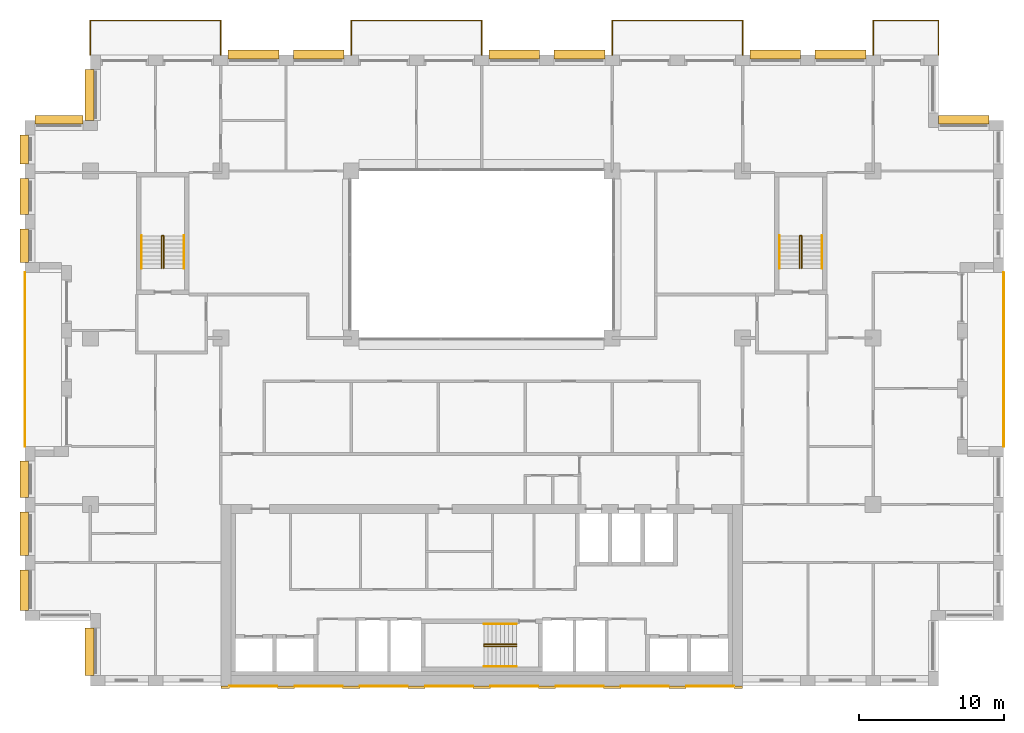
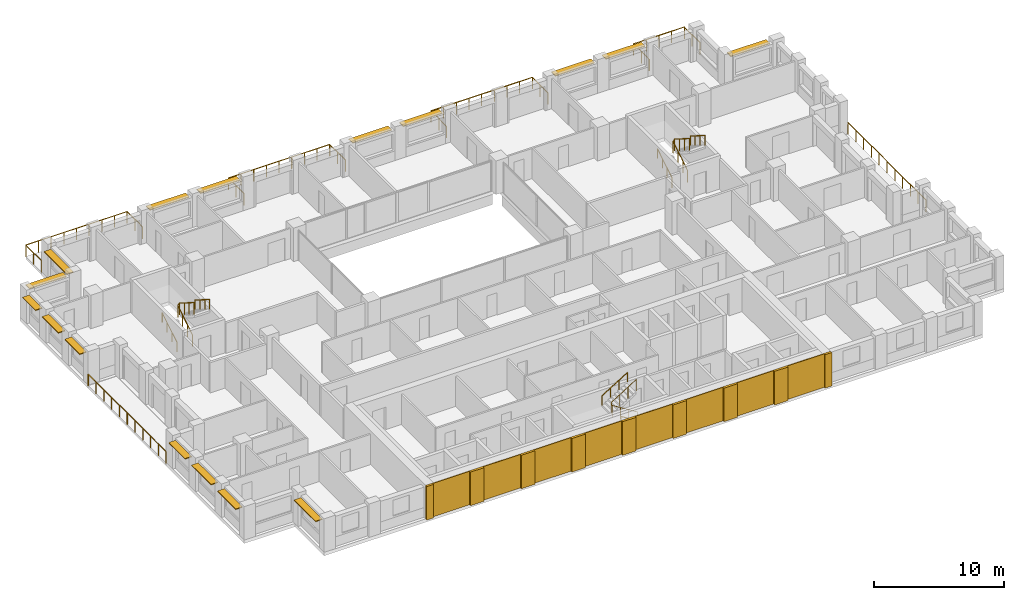
# One storey, part 15 of 15: 17 coverings, 16 shading devices, 15 railings.
"""IFC4 building model written with IfcOpenShell, lengths in metres."""

import ifcopenshell
import ifcopenshell.guid

model = None  # the IFC model being written
_history = None  # IfcOwnerHistory: only IFC2X3 demands one
_inside = {}  # id of a spatial element -> (the spatial element, [elements in it])
_under = {}  # id of a project, library or spatial element -> (it, [spatial elements below it])
_declared = {}  # id of a project -> (the project, [libraries it declares])
_typed = {}  # id of a type object -> (the type object, [elements of that type])
_made_of = {}  # id of a material, layer set ... -> (it, [elements and type objects made of it])


def new_model(schema):
    """Start an empty IFC model of exactly this schema.

    Asked for "IFC4X3", IfcOpenShell would pick the latest addendum, in which some entities
    have other attributes; the version numbers below select the first issue.
    IFC2X3 requires an IfcOwnerHistory on every rooted entity: one is made here for all.
    """
    global model, _history
    if schema == "IFC4X3":
        model = ifcopenshell.file(schema_version=(4, 3, 0, 0))
    else:
        model = ifcopenshell.file(schema=schema)
    _inside.clear()
    _under.clear()
    _declared.clear()
    _typed.clear()
    _made_of.clear()
    _history = None
    if model.schema == "IFC2X3":
        org = make("IfcOrganization", Name="unknown")
        user = make(
            "IfcPersonAndOrganization",
            ThePerson=make("IfcPerson", FamilyName="unknown"),
            TheOrganization=org,
        )
        app = make(
            "IfcApplication",
            ApplicationDeveloper=org,
            Version="unknown",
            ApplicationFullName="unknown",
            ApplicationIdentifier="unknown",
        )
        _history = make(
            "IfcOwnerHistory",
            OwningUser=user,
            OwningApplication=app,
            ChangeAction="ADDED",
            CreationDate=0,
        )
    return model


def make(cls, **values):
    """One entity of the class cls with the attributes given. An attribute that is None is left unset."""
    return model.create_entity(
        cls, **{name: value for name, value in values.items() if value is not None}
    )


def rooted(cls, **values):
    """An entity with a GlobalId (a new one), such as an element, a storey or a relation."""
    return make(cls, GlobalId=ifcopenshell.guid.new(), OwnerHistory=_history, **values)


def si_unit(unit_type, name, prefix=None):
    """IfcSIUnit, for example si_unit("LENGTHUNIT", "METRE", prefix="MILLI")."""
    return make("IfcSIUnit", UnitType=unit_type, Prefix=prefix, Name=name)


def assignment(units):
    """IfcUnitAssignment: the units of a project."""
    return None if units is None else make("IfcUnitAssignment", Units=units)


def point(xyz):
    """IfcCartesianPoint."""
    return None if xyz is None else make("IfcCartesianPoint", Coordinates=xyz)


def direction(xyz):
    """IfcDirection."""
    return None if xyz is None else make("IfcDirection", DirectionRatios=xyz)


def frame(location, z_axis=None, x_axis=None):
    """IfcAxis2Placement3D, a coordinate frame: its origin and axes. An axis left out is left unset."""
    return make(
        "IfcAxis2Placement3D",
        Location=point(location),
        Axis=direction(z_axis),
        RefDirection=direction(x_axis),
    )


def frame_2d(location, x_axis=None):
    """IfcAxis2Placement2D, a coordinate frame in the plane: its origin and x axis."""
    return make(
        "IfcAxis2Placement2D", Location=point(location), RefDirection=direction(x_axis)
    )


def origin():
    """The frame at (0, 0, 0) with its axes left unset."""
    return frame((0.0, 0.0, 0.0))


def origin_2d():
    """The frame at (0, 0) in the plane with its x axis left unset."""
    return frame_2d((0.0, 0.0))


def place(relative_to, where):
    """IfcLocalPlacement: puts the frame where relative to a parent placement (None: the world)."""
    return make(
        "IfcLocalPlacement", PlacementRelTo=relative_to, RelativePlacement=where
    )


def context(
    kind, dimensions, precision=None, world=None, true_north=None, identifier=None
):
    """IfcGeometricRepresentationContext, for example the 3D "Model" context."""
    return make(
        "IfcGeometricRepresentationContext",
        ContextIdentifier=identifier,
        ContextType=kind,
        CoordinateSpaceDimension=dimensions,
        Precision=precision,
        WorldCoordinateSystem=world,
        TrueNorth=true_north,
    )


def subcontext(parent, identifier, kind, view, scale=None):
    """IfcGeometricRepresentationSubContext, for example "Body" below "Model"."""
    return make(
        "IfcGeometricRepresentationSubContext",
        ContextIdentifier=identifier,
        ContextType=kind,
        ParentContext=parent,
        TargetScale=scale,
        TargetView=view,
    )


def project(units=None, contexts=None):
    """IfcProject with its units and contexts."""
    return rooted(
        "IfcProject",
        Name="project",
        RepresentationContexts=contexts,
        UnitsInContext=assignment(units),
    )


def spatial(cls, under=None, at=None, **own):
    """A site, building, storey or space (cls), placed at a placement, below another one or the project."""
    s = rooted(cls, ObjectPlacement=at, **own)
    if under is not None:
        _under.setdefault(under.id(), (under, []))[1].append(s)
    return s


def profile(cls, at=None, kind="AREA", **sizes):
    """A parametric profile (cls). Its sizes go by their IFC names, for example OverallWidth=200.0."""
    return make(cls, ProfileType=kind, Position=at, **sizes)


def rectangle(**sizes):
    """IfcRectangleProfileDef."""
    return profile("IfcRectangleProfileDef", **sizes)


def circle(**sizes):
    """IfcCircleProfileDef."""
    return profile("IfcCircleProfileDef", **sizes)


def extrude(swept, where, along, depth):
    """IfcExtrudedAreaSolid: the profile swept, set in the frame where, extruded along a direction by depth."""
    return make(
        "IfcExtrudedAreaSolid",
        SweptArea=swept,
        Position=where,
        ExtrudedDirection=direction(along),
        Depth=depth,
    )


def shape(context_of_items, identifier, shape_type, items):
    """IfcShapeRepresentation: the items that make up one representation, for example the "Body"."""
    return make(
        "IfcShapeRepresentation",
        ContextOfItems=context_of_items,
        RepresentationIdentifier=identifier,
        RepresentationType=shape_type,
        Items=items,
    )


def material(Name=None, Category=None):
    """IfcMaterial."""
    return make("IfcMaterial", Name=Name, Category=Category)


def layer(
    of_material, thickness, ventilated=None, Name=None, Category=None, Priority=None
):
    """IfcMaterialLayer: one layer of a wall or slab, of a material (None: an air gap)."""
    return make(
        "IfcMaterialLayer",
        Material=of_material,
        LayerThickness=thickness,
        IsVentilated=ventilated,
        Name=Name,
        Category=Category,
        Priority=Priority,
    )


def layer_set(layers, Name=None):
    """IfcMaterialLayerSet."""
    return make("IfcMaterialLayerSet", MaterialLayers=layers, LayerSetName=Name)


def made_of(thing, what):
    """Note that an element or type object is made of a material, layer set ...; save() writes the relation."""
    if what is not None:
        _made_of.setdefault(what.id(), (what, []))[1].append(thing)
    return thing


def type_object(cls, material=None, **own):
    """A type object (cls), such as IfcWallType, which elements share."""
    return made_of(rooted(cls, **own), material)


def element(
    cls,
    number,
    at=None,
    inside=None,
    cuts=None,
    type_object=None,
    material=None,
    context=None,
    identifier="Body",
    shape_type=None,
    held_by="IfcProductDefinitionShape",
    body=None,
    shapes=None,
    **own,
):
    """One element of the class cls, such as IfcWall. Its Tag is "e" and its number.

    at: its placement. inside: the storey or other place that contains it. cuts: it is an
    opening in that element (IfcRelVoidsElement). A single representation is given by context,
    identifier, shape_type and body (its items); several are given by shapes. held_by: the class
    of the entity that holds the representations. save() writes the other relations.
    """
    e = rooted(cls, Tag="e%d" % number, ObjectPlacement=at, **own)
    if body is not None:
        shapes = [shape(context, identifier, shape_type, body)]
    if shapes is not None:
        e.Representation = make(held_by, Representations=shapes)
    if inside is not None:
        _inside.setdefault(inside.id(), (inside, []))[1].append(e)
    if cuts is not None:
        rooted(
            "IfcRelVoidsElement", RelatingBuildingElement=cuts, RelatedOpeningElement=e
        )
    if type_object is not None:
        _typed.setdefault(type_object.id(), (type_object, []))[1].append(e)
    return made_of(e, material)


def aggregate(whole, parts):
    """IfcRelAggregates: a whole, such as a stair, and the parts it consists of."""
    return rooted("IfcRelAggregates", RelatingObject=whole, RelatedObjects=parts)


def save(model, path):
    """Write the relations noted so far, then the file.

    IfcRelAggregates (storeys below a building ...), IfcRelContainedInSpatialStructure (elements
    in a storey), IfcRelDefinesByType, IfcRelAssociatesMaterial and IfcRelDeclares: one each for
    every whole, place, type object, material and project.
    """
    for whole, parts in _under.values():
        aggregate(whole, parts)
    for where, things in _inside.values():
        rooted(
            "IfcRelContainedInSpatialStructure",
            RelatedElements=things,
            RelatingStructure=where,
        )
    for kind, things in _typed.values():
        rooted("IfcRelDefinesByType", RelatedObjects=things, RelatingType=kind)
    for what, things in _made_of.values():
        rooted("IfcRelAssociatesMaterial", RelatedObjects=things, RelatingMaterial=what)
    for by, libraries in _declared.values():
        rooted("IfcRelDeclares", RelatingContext=by, RelatedDefinitions=libraries)
    model.write(path)


model = new_model("IFC4")

# Units and contexts
model_context = context("Model", 3, precision=1e-05, world=origin(), true_north=direction((0.0, 1.0)))
body_context = subcontext(model_context, "Body", "Model", "MODEL_VIEW")
ifc_project = project(units=[si_unit("LENGTHUNIT", "METRE"), si_unit("AREAUNIT", "SQUARE_METRE"), si_unit("VOLUMEUNIT", "CUBIC_METRE"), si_unit("PLANEANGLEUNIT", "RADIAN"), si_unit("MASSUNIT", "GRAM", prefix="KILO")], contexts=[model_context])

# Site, building, storey
site_placement = place(None, origin())
site = spatial("IfcSite", under=ifc_project, at=site_placement, CompositionType="ELEMENT")
building_placement = place(site_placement, origin())
building = spatial("IfcBuilding", under=site, at=building_placement, Name="Brigalow Station Residences", CompositionType="ELEMENT")
storey_placement = place(building_placement, frame((0.0, 0.0, 144.449951171875)))
storey = spatial("IfcBuildingStorey", under=building, at=storey_placement, Name="L41", CompositionType="ELEMENT", Elevation=144.449951171875)

# Railings
ifc_material_1 = material(Name="Stainless steel balustrade with laminated glass infill", Category="steel")
railing_type_1 = type_object("IfcRailingType", Name="BALCONY GUARD 1100", PredefinedType="GUARDRAIL", material=ifc_material_1)
railing_1_placement = place(storey_placement, frame((72.0, 16.5, -0.0400390625)))
element("IfcRailing", 1, at=railing_1_placement, inside=storey, type_object=railing_type_1, Name="L41/balcony-guard/1", PredefinedType="GUARDRAIL", context=body_context, shape_type="SweptSolid", body=[
    extrude(circle(Radius=0.02392578125, at=origin_2d()), frame((0.0, 0.0, 1.076171875), z_axis=(0.0, 1.0, 0.0), x_axis=(-1.0, 0.0, 0.0)), (0.0, 0.0, 1.0), 12.0),
    extrude(circle(Radius=0.02099609375, at=origin_2d()), origin(), (0.0, 0.0, 1.0), 1.052001953125),
    extrude(circle(Radius=0.02099609375, at=origin_2d()), frame((0.0, 1.199951171875, 0.0)), (0.0, 0.0, 1.0), 1.052001953125),
    extrude(circle(Radius=0.02099609375, at=origin_2d()), frame((0.0, 2.39990234375, 0.0)), (0.0, 0.0, 1.0), 1.052001953125),
    extrude(circle(Radius=0.02099609375, at=origin_2d()), frame((0.0, 3.60009765625, 0.0)), (0.0, 0.0, 1.0), 1.052001953125),
    extrude(circle(Radius=0.02099609375, at=origin_2d()), frame((0.0, 4.800048828125, 0.0)), (0.0, 0.0, 1.0), 1.052001953125),
    extrude(circle(Radius=0.02099609375, at=origin_2d()), frame((0.0, 6.0, 0.0)), (0.0, 0.0, 1.0), 1.052001953125),
    extrude(circle(Radius=0.02099609375, at=origin_2d()), frame((0.0, 7.199951171875, 0.0)), (0.0, 0.0, 1.0), 1.052001953125),
    extrude(circle(Radius=0.02099609375, at=origin_2d()), frame((0.0, 8.39990234375, 0.0)), (0.0, 0.0, 1.0), 1.052001953125),
    extrude(circle(Radius=0.02099609375, at=origin_2d()), frame((0.0, 9.60009765625, 0.0)), (0.0, 0.0, 1.0), 1.052001953125),
    extrude(circle(Radius=0.02099609375, at=origin_2d()), frame((0.0, 10.800048828125, 0.0)), (0.0, 0.0, 1.0), 1.052001953125),
    extrude(circle(Radius=0.02099609375, at=origin_2d()), frame((0.0, 12.0, 0.0)), (0.0, 0.0, 1.0), 1.052001953125),
])
railing_2_placement = place(storey_placement, frame((67.5, 43.5, -0.0400390625)))
element("IfcRailing", 2, at=railing_2_placement, inside=storey, type_object=railing_type_1, Name="L41/balcony-guard/2", PredefinedType="GUARDRAIL", context=body_context, shape_type="SweptSolid", body=[
    extrude(circle(Radius=0.02392578125, at=origin_2d()), frame((0.0, 0.0, 1.076171875), z_axis=(0.0, 1.0, 0.0), x_axis=(-1.0, 0.0, 0.0)), (0.0, 0.0, 1.0), 2.39990234375),
    extrude(circle(Radius=0.02392578125, at=origin_2d()), frame((0.0, 2.39990234375, 1.076171875), z_axis=(-1.0, 0.0, 0.0), x_axis=(0.0, -1.0, 0.0)), (0.0, 0.0, 1.0), 4.5),
    extrude(circle(Radius=0.02392578125, at=origin_2d()), frame((-4.5, 2.39990234375, 1.076171875), z_axis=(0.0, -1.0, 0.0), x_axis=(1.0, 0.0, 0.0)), (0.0, 0.0, 1.0), 2.39990234375),
    extrude(circle(Radius=0.02099609375, at=origin_2d()), origin(), (0.0, 0.0, 1.0), 1.052001953125),
    extrude(circle(Radius=0.02099609375, at=origin_2d()), frame((0.0, 1.199951171875, 0.0)), (0.0, 0.0, 1.0), 1.052001953125),
    extrude(circle(Radius=0.02099609375, at=origin_2d()), frame((0.0, 2.39990234375, 0.0)), (0.0, 0.0, 1.0), 1.052001953125),
    extrude(circle(Radius=0.02099609375, at=origin_2d()), frame((-1.125, 2.39990234375, 0.0)), (0.0, 0.0, 1.0), 1.052001953125),
    extrude(circle(Radius=0.02099609375, at=origin_2d()), frame((-2.25, 2.39990234375, 0.0)), (0.0, 0.0, 1.0), 1.052001953125),
    extrude(circle(Radius=0.02099609375, at=origin_2d()), frame((-3.375, 2.39990234375, 0.0)), (0.0, 0.0, 1.0), 1.052001953125),
    extrude(circle(Radius=0.02099609375, at=origin_2d()), frame((-4.5, 2.39990234375, 0.0)), (0.0, 0.0, 1.0), 1.052001953125),
    extrude(circle(Radius=0.02099609375, at=origin_2d()), frame((-4.5, 1.199951171875, 0.0)), (0.0, 0.0, 1.0), 1.052001953125),
    extrude(circle(Radius=0.02099609375, at=origin_2d()), frame((-4.5, 0.0, 0.0)), (0.0, 0.0, 1.0), 1.052001953125),
])
railing_3_placement = place(storey_placement, frame((54.0, 43.5, -0.0400390625)))
element("IfcRailing", 3, at=railing_3_placement, inside=storey, type_object=railing_type_1, Name="L41/balcony-guard/3", PredefinedType="GUARDRAIL", context=body_context, shape_type="SweptSolid", body=[
    extrude(circle(Radius=0.02392578125, at=origin_2d()), frame((0.0, 0.0, 1.076171875), z_axis=(0.0, 1.0, 0.0), x_axis=(-1.0, 0.0, 0.0)), (0.0, 0.0, 1.0), 2.39990234375),
    extrude(circle(Radius=0.02392578125, at=origin_2d()), frame((0.0, 2.39990234375, 1.076171875), z_axis=(-1.0, 0.0, 0.0), x_axis=(0.0, -1.0, 0.0)), (0.0, 0.0, 1.0), 9.0),
    extrude(circle(Radius=0.02392578125, at=origin_2d()), frame((-9.0, 2.39990234375, 1.076171875), z_axis=(0.0, -1.0, 0.0), x_axis=(1.0, 0.0, 0.0)), (0.0, 0.0, 1.0), 2.39990234375),
    extrude(circle(Radius=0.02099609375, at=origin_2d()), origin(), (0.0, 0.0, 1.0), 1.052001953125),
    extrude(circle(Radius=0.02099609375, at=origin_2d()), frame((0.0, 1.199951171875, 0.0)), (0.0, 0.0, 1.0), 1.052001953125),
    extrude(circle(Radius=0.02099609375, at=origin_2d()), frame((0.0, 2.39990234375, 0.0)), (0.0, 0.0, 1.0), 1.052001953125),
    extrude(circle(Radius=0.02099609375, at=origin_2d()), frame((-1.125, 2.39990234375, 0.0)), (0.0, 0.0, 1.0), 1.052001953125),
    extrude(circle(Radius=0.02099609375, at=origin_2d()), frame((-2.25, 2.39990234375, 0.0)), (0.0, 0.0, 1.0), 1.052001953125),
    extrude(circle(Radius=0.02099609375, at=origin_2d()), frame((-3.375, 2.39990234375, 0.0)), (0.0, 0.0, 1.0), 1.052001953125),
    extrude(circle(Radius=0.02099609375, at=origin_2d()), frame((-4.5, 2.39990234375, 0.0)), (0.0, 0.0, 1.0), 1.052001953125),
    extrude(circle(Radius=0.02099609375, at=origin_2d()), frame((-5.625, 2.39990234375, 0.0)), (0.0, 0.0, 1.0), 1.052001953125),
    extrude(circle(Radius=0.02099609375, at=origin_2d()), frame((-6.75, 2.39990234375, 0.0)), (0.0, 0.0, 1.0), 1.052001953125),
    extrude(circle(Radius=0.02099609375, at=origin_2d()), frame((-7.875, 2.39990234375, 0.0)), (0.0, 0.0, 1.0), 1.052001953125),
    extrude(circle(Radius=0.02099609375, at=origin_2d()), frame((-9.0, 2.39990234375, 0.0)), (0.0, 0.0, 1.0), 1.052001953125),
    extrude(circle(Radius=0.02099609375, at=origin_2d()), frame((-9.0, 1.199951171875, 0.0)), (0.0, 0.0, 1.0), 1.052001953125),
    extrude(circle(Radius=0.02099609375, at=origin_2d()), frame((-9.0, 0.0, 0.0)), (0.0, 0.0, 1.0), 1.052001953125),
])
railing_4_placement = place(storey_placement, frame((36.0, 43.5, -0.0400390625)))
element("IfcRailing", 4, at=railing_4_placement, inside=storey, type_object=railing_type_1, Name="L41/balcony-guard/4", PredefinedType="GUARDRAIL", context=body_context, shape_type="SweptSolid", body=[
    extrude(circle(Radius=0.02392578125, at=origin_2d()), frame((0.0, 0.0, 1.076171875), z_axis=(0.0, 1.0, 0.0), x_axis=(-1.0, 0.0, 0.0)), (0.0, 0.0, 1.0), 2.39990234375),
    extrude(circle(Radius=0.02392578125, at=origin_2d()), frame((0.0, 2.39990234375, 1.076171875), z_axis=(-1.0, 0.0, 0.0), x_axis=(0.0, -1.0, 0.0)), (0.0, 0.0, 1.0), 9.0),
    extrude(circle(Radius=0.02392578125, at=origin_2d()), frame((-9.0, 2.39990234375, 1.076171875), z_axis=(0.0, -1.0, 0.0), x_axis=(1.0, 0.0, 0.0)), (0.0, 0.0, 1.0), 2.39990234375),
    extrude(circle(Radius=0.02099609375, at=origin_2d()), origin(), (0.0, 0.0, 1.0), 1.052001953125),
    extrude(circle(Radius=0.02099609375, at=origin_2d()), frame((0.0, 1.199951171875, 0.0)), (0.0, 0.0, 1.0), 1.052001953125),
    extrude(circle(Radius=0.02099609375, at=origin_2d()), frame((0.0, 2.39990234375, 0.0)), (0.0, 0.0, 1.0), 1.052001953125),
    extrude(circle(Radius=0.02099609375, at=origin_2d()), frame((-1.125, 2.39990234375, 0.0)), (0.0, 0.0, 1.0), 1.052001953125),
    extrude(circle(Radius=0.02099609375, at=origin_2d()), frame((-2.25, 2.39990234375, 0.0)), (0.0, 0.0, 1.0), 1.052001953125),
    extrude(circle(Radius=0.02099609375, at=origin_2d()), frame((-3.375, 2.39990234375, 0.0)), (0.0, 0.0, 1.0), 1.052001953125),
    extrude(circle(Radius=0.02099609375, at=origin_2d()), frame((-4.5, 2.39990234375, 0.0)), (0.0, 0.0, 1.0), 1.052001953125),
    extrude(circle(Radius=0.02099609375, at=origin_2d()), frame((-5.625, 2.39990234375, 0.0)), (0.0, 0.0, 1.0), 1.052001953125),
    extrude(circle(Radius=0.02099609375, at=origin_2d()), frame((-6.75, 2.39990234375, 0.0)), (0.0, 0.0, 1.0), 1.052001953125),
    extrude(circle(Radius=0.02099609375, at=origin_2d()), frame((-7.875, 2.39990234375, 0.0)), (0.0, 0.0, 1.0), 1.052001953125),
    extrude(circle(Radius=0.02099609375, at=origin_2d()), frame((-9.0, 2.39990234375, 0.0)), (0.0, 0.0, 1.0), 1.052001953125),
    extrude(circle(Radius=0.02099609375, at=origin_2d()), frame((-9.0, 1.199951171875, 0.0)), (0.0, 0.0, 1.0), 1.052001953125),
    extrude(circle(Radius=0.02099609375, at=origin_2d()), frame((-9.0, 0.0, 0.0)), (0.0, 0.0, 1.0), 1.052001953125),
])
railing_5_placement = place(storey_placement, frame((18.0, 43.5, -0.0400390625)))
element("IfcRailing", 5, at=railing_5_placement, inside=storey, type_object=railing_type_1, Name="L41/balcony-guard/5", PredefinedType="GUARDRAIL", context=body_context, shape_type="SweptSolid", body=[
    extrude(circle(Radius=0.02392578125, at=origin_2d()), frame((0.0, 0.0, 1.076171875), z_axis=(0.0, 1.0, 0.0), x_axis=(-1.0, 0.0, 0.0)), (0.0, 0.0, 1.0), 2.39990234375),
    extrude(circle(Radius=0.02392578125, at=origin_2d()), frame((0.0, 2.39990234375, 1.076171875), z_axis=(-1.0, 0.0, 0.0), x_axis=(0.0, -1.0, 0.0)), (0.0, 0.0, 1.0), 9.0),
    extrude(circle(Radius=0.02392578125, at=origin_2d()), frame((-9.0, 2.39990234375, 1.076171875), z_axis=(0.0, -1.0, 0.0), x_axis=(1.0, 0.0, 0.0)), (0.0, 0.0, 1.0), 2.39990234375),
    extrude(circle(Radius=0.02099609375, at=origin_2d()), origin(), (0.0, 0.0, 1.0), 1.052001953125),
    extrude(circle(Radius=0.02099609375, at=origin_2d()), frame((0.0, 1.199951171875, 0.0)), (0.0, 0.0, 1.0), 1.052001953125),
    extrude(circle(Radius=0.02099609375, at=origin_2d()), frame((0.0, 2.39990234375, 0.0)), (0.0, 0.0, 1.0), 1.052001953125),
    extrude(circle(Radius=0.02099609375, at=origin_2d()), frame((-1.125, 2.39990234375, 0.0)), (0.0, 0.0, 1.0), 1.052001953125),
    extrude(circle(Radius=0.02099609375, at=origin_2d()), frame((-2.25, 2.39990234375, 0.0)), (0.0, 0.0, 1.0), 1.052001953125),
    extrude(circle(Radius=0.02099609375, at=origin_2d()), frame((-3.375, 2.39990234375, 0.0)), (0.0, 0.0, 1.0), 1.052001953125),
    extrude(circle(Radius=0.02099609375, at=origin_2d()), frame((-4.5, 2.39990234375, 0.0)), (0.0, 0.0, 1.0), 1.052001953125),
    extrude(circle(Radius=0.02099609375, at=origin_2d()), frame((-5.625, 2.39990234375, 0.0)), (0.0, 0.0, 1.0), 1.052001953125),
    extrude(circle(Radius=0.02099609375, at=origin_2d()), frame((-6.75, 2.39990234375, 0.0)), (0.0, 0.0, 1.0), 1.052001953125),
    extrude(circle(Radius=0.02099609375, at=origin_2d()), frame((-7.875, 2.39990234375, 0.0)), (0.0, 0.0, 1.0), 1.052001953125),
    extrude(circle(Radius=0.02099609375, at=origin_2d()), frame((-9.0, 2.39990234375, 0.0)), (0.0, 0.0, 1.0), 1.052001953125),
    extrude(circle(Radius=0.02099609375, at=origin_2d()), frame((-9.0, 1.199951171875, 0.0)), (0.0, 0.0, 1.0), 1.052001953125),
    extrude(circle(Radius=0.02099609375, at=origin_2d()), frame((-9.0, 0.0, 0.0)), (0.0, 0.0, 1.0), 1.052001953125),
])
railing_6_placement = place(storey_placement, frame((4.5, 28.5, -0.0400390625)))
element("IfcRailing", 6, at=railing_6_placement, inside=storey, type_object=railing_type_1, Name="L41/balcony-guard/6", PredefinedType="GUARDRAIL", context=body_context, shape_type="SweptSolid", body=[
    extrude(circle(Radius=0.02392578125, at=origin_2d()), frame((0.0, 0.0, 1.076171875), z_axis=(0.0, -1.0, 0.0), x_axis=(1.0, 0.0, 0.0)), (0.0, 0.0, 1.0), 12.0),
    extrude(circle(Radius=0.02099609375, at=origin_2d()), origin(), (0.0, 0.0, 1.0), 1.052001953125),
    extrude(circle(Radius=0.02099609375, at=origin_2d()), frame((0.0, -1.199951171875, 0.0)), (0.0, 0.0, 1.0), 1.052001953125),
    extrude(circle(Radius=0.02099609375, at=origin_2d()), frame((0.0, -2.39990234375, 0.0)), (0.0, 0.0, 1.0), 1.052001953125),
    extrude(circle(Radius=0.02099609375, at=origin_2d()), frame((0.0, -3.60009765625, 0.0)), (0.0, 0.0, 1.0), 1.052001953125),
    extrude(circle(Radius=0.02099609375, at=origin_2d()), frame((0.0, -4.800048828125, 0.0)), (0.0, 0.0, 1.0), 1.052001953125),
    extrude(circle(Radius=0.02099609375, at=origin_2d()), frame((0.0, -6.0, 0.0)), (0.0, 0.0, 1.0), 1.052001953125),
    extrude(circle(Radius=0.02099609375, at=origin_2d()), frame((0.0, -7.199951171875, 0.0)), (0.0, 0.0, 1.0), 1.052001953125),
    extrude(circle(Radius=0.02099609375, at=origin_2d()), frame((0.0, -8.39990234375, 0.0)), (0.0, 0.0, 1.0), 1.052001953125),
    extrude(circle(Radius=0.02099609375, at=origin_2d()), frame((0.0, -9.60009765625, 0.0)), (0.0, 0.0, 1.0), 1.052001953125),
    extrude(circle(Radius=0.02099609375, at=origin_2d()), frame((0.0, -10.800048828125, 0.0)), (0.0, 0.0, 1.0), 1.052001953125),
    extrude(circle(Radius=0.02099609375, at=origin_2d()), frame((0.0, -12.0, 0.0)), (0.0, 0.0, 1.0), 1.052001953125),
])

# Coverings
ifc_material_2 = material(Name="Clay brick masonry", Category="masonry")
ifc_layer_1 = layer(ifc_material_2, 0.06005859375)
ifc_layer_set_1 = layer_set([ifc_layer_1], Name="BRICK PANEL FACING 60")
covering_type_1 = type_object("IfcCoveringType", Name="BRICK PANEL FACING 60", PredefinedType="CLADDING", material=ifc_layer_set_1)
for number, where, z_axis, x_axis, name in (
    (7, (20.25, -0.030029296875, 0.0), (0.0, 0.0, 1.0), (1.0, 0.0, 0.0), "L41/rear-facing/panel-1"),
    (8, (24.75, -0.030029296875, 0.0), (0.0, 0.0, 1.0), (1.0, 0.0, 0.0), "L41/rear-facing/panel-2"),
    (9, (29.25, -0.030029296875, 0.0), (0.0, 0.0, 1.0), (1.0, 0.0, 0.0), "L41/rear-facing/panel-3"),
    (10, (33.75, -0.030029296875, 0.0), (0.0, 0.0, 1.0), (1.0, 0.0, 0.0), "L41/rear-facing/panel-4"),
    (11, (38.25, -0.030029296875, 0.0), (0.0, 0.0, 1.0), (1.0, 0.0, 0.0), "L41/rear-facing/panel-5"),
    (12, (42.75, -0.030029296875, 0.0), (0.0, 0.0, 1.0), (1.0, 0.0, 0.0), "L41/rear-facing/panel-6"),
    (13, (47.25, -0.030029296875, 0.0), (0.0, 0.0, 1.0), (1.0, 0.0, 0.0), "L41/rear-facing/panel-7"),
    (14, (51.75, -0.030029296875, 0.0), (0.0, 0.0, 1.0), (1.0, 0.0, 0.0), "L41/rear-facing/panel-8"),
):
    element("IfcCovering", number, at=place(storey_placement, frame(where, z_axis=z_axis, x_axis=x_axis)), inside=storey, type_object=covering_type_1, Name=name, PredefinedType="CLADDING", context=body_context, shape_type="SweptSolid", body=[
        extrude(rectangle(XDim=3.300048828125, YDim=0.06005859375, at=origin_2d()), origin(), (0.0, 0.0, 1.0), 3.14990234375),
    ])
ifc_material_3 = material(Name="Clay brick masonry", Category="masonry")
ifc_layer_2 = layer(ifc_material_3, 0.199951171875)
ifc_layer_set_2 = layer_set([ifc_layer_2], Name="BRICK PIER FACING 200")
covering_type_2 = type_object("IfcCoveringType", Name="BRICK PIER FACING 200", PredefinedType="CLADDING", material=ifc_layer_set_2)
covering_1_placement = place(storey_placement, frame((18.300048828125, -0.10009765625, 0.0), z_axis=(0.0, 0.0, 1.0), x_axis=(1.0, 0.0, 0.0)))
element("IfcCovering", 15, at=covering_1_placement, inside=storey, type_object=covering_type_2, Name="L41/rear-facing/pier-1", PredefinedType="CLADDING", context=body_context, shape_type="SweptSolid", body=[
    extrude(rectangle(XDim=0.60009765625, YDim=0.199951171875, at=origin_2d()), origin(), (0.0, 0.0, 1.0), 3.14990234375),
])
for number, where, z_axis, x_axis, name in (
    (16, (22.5, -0.10009765625, 0.0), (0.0, 0.0, 1.0), (1.0, 0.0, 0.0), "L41/rear-facing/pier-2"),
    (17, (27.0, -0.10009765625, 0.0), (0.0, 0.0, 1.0), (1.0, 0.0, 0.0), "L41/rear-facing/pier-3"),
    (18, (31.5, -0.10009765625, 0.0), (0.0, 0.0, 1.0), (1.0, 0.0, 0.0), "L41/rear-facing/pier-4"),
    (19, (36.0, -0.10009765625, 0.0), (0.0, 0.0, 1.0), (1.0, 0.0, 0.0), "L41/rear-facing/pier-5"),
    (20, (40.5, -0.10009765625, 0.0), (0.0, 0.0, 1.0), (1.0, 0.0, 0.0), "L41/rear-facing/pier-6"),
    (21, (45.0, -0.10009765625, 0.0), (0.0, 0.0, 1.0), (1.0, 0.0, 0.0), "L41/rear-facing/pier-7"),
    (22, (49.5, -0.10009765625, 0.0), (0.0, 0.0, 1.0), (1.0, 0.0, 0.0), "L41/rear-facing/pier-8"),
):
    element("IfcCovering", number, at=place(storey_placement, frame(where, z_axis=z_axis, x_axis=x_axis)), inside=storey, type_object=covering_type_2, Name=name, PredefinedType="CLADDING", context=body_context, shape_type="SweptSolid", body=[
        extrude(rectangle(XDim=1.199951171875, YDim=0.199951171875, at=origin_2d()), origin(), (0.0, 0.0, 1.0), 3.14990234375),
    ])
covering_2_placement = place(storey_placement, frame((53.699951171875, -0.10009765625, 0.0), z_axis=(0.0, 0.0, 1.0), x_axis=(1.0, 0.0, 0.0)))
element("IfcCovering", 23, at=covering_2_placement, inside=storey, type_object=covering_type_2, Name="L41/rear-facing/pier-9", PredefinedType="CLADDING", context=body_context, shape_type="SweptSolid", body=[
    extrude(rectangle(XDim=0.60009765625, YDim=0.199951171875, at=origin_2d()), origin(), (0.0, 0.0, 1.0), 3.14990234375),
])

# Railings
ifc_material_4 = material(Name="Stainless steel balustrade", Category="steel")
railing_type_2 = type_object("IfcRailingType", Name="STAIR GUARD 1100", PredefinedType="GUARDRAIL", material=ifc_material_4)
railing_7_placement = place(storey_placement, frame((38.39990234375, 2.72998046875, 0.175048828125)))
element("IfcRailing", 24, at=railing_7_placement, inside=storey, type_object=railing_type_2, Name="GUARD GR-2", PredefinedType="GUARDRAIL", context=body_context, shape_type="SweptSolid", body=[
    extrude(circle(Radius=0.02392578125, at=origin_2d()), frame((0.0, 0.0, 1.076171875), z_axis=(-0.848013881152, 0.0, 0.529974015752), x_axis=(0.0, -1.0, 0.0)), (0.0, 0.0, 1.0), 2.641357421875),
    extrude(circle(Radius=0.02392578125, at=origin_2d()), frame((-2.239990234375, 0.0, 2.47607421875), z_axis=(0.0, 0.624960567888, 0.780656319122), x_axis=(-1.0, 0.0, 0.0)), (0.0, 0.0, 1.0), 0.22412109375),
    extrude(circle(Radius=0.02392578125, at=origin_2d()), frame((-2.239990234375, 0.14013671875, 2.65087890625), z_axis=(0.847972341737, 0.0, 0.530040477369), x_axis=(0.0, 1.0, 0.0)), (0.0, 0.0, 1.0), 2.6416015625),
    extrude(circle(Radius=0.02099609375, at=origin_2d()), origin(), (0.0, 0.0, 1.0), 1.052001953125),
    extrude(circle(Radius=0.02099609375, at=origin_2d()), frame((-0.74658203125, 0.0, 0.466552734375)), (0.0, 0.0, 1.0), 1.052001953125),
    extrude(circle(Radius=0.02099609375, at=origin_2d()), frame((-1.493408203125, 0.0, 0.933349609375)), (0.0, 0.0, 1.0), 1.052001953125),
    extrude(circle(Radius=0.02099609375, at=origin_2d()), frame((-2.239990234375, 0.0, 1.39990234375)), (0.0, 0.0, 1.0), 1.052001953125),
    extrude(circle(Radius=0.02099609375, at=origin_2d()), frame((-2.239990234375, 0.14013671875, 1.574951171875)), (0.0, 0.0, 1.0), 1.052001953125),
    extrude(circle(Radius=0.02099609375, at=origin_2d()), frame((-1.493408203125, 0.14013671875, 2.041748046875)), (0.0, 0.0, 1.0), 1.052001953125),
    extrude(circle(Radius=0.02099609375, at=origin_2d()), frame((-0.74658203125, 0.14013671875, 2.50830078125)), (0.0, 0.0, 1.0), 1.052001953125),
    extrude(circle(Radius=0.02099609375, at=origin_2d()), frame((0.0, 0.14013671875, 2.97509765625)), (0.0, 0.0, 1.0), 1.052001953125),
])
for number, where, name in (
    (25, (13.929931640625, 28.800048828125, 0.175048828125), "GUARD GR-1"),
    (26, (57.929931640625, 28.800048828125, 0.175048828125), "GUARD GR-3"),
):
    element("IfcRailing", number, at=place(storey_placement, frame(where)), inside=storey, type_object=railing_type_2, Name=name, PredefinedType="GUARDRAIL", context=body_context, shape_type="SweptSolid", body=[
        extrude(circle(Radius=0.02392578125, at=origin_2d()), frame((0.0, 0.0, 1.076171875), z_axis=(0.0, 0.848013881152, 0.529974015752), x_axis=(-1.0, 0.0, 0.0)), (0.0, 0.0, 1.0), 2.641357421875),
        extrude(circle(Radius=0.02392578125, at=origin_2d()), frame((0.0, 2.239990234375, 2.47607421875), z_axis=(0.624960567888, 0.0, 0.780656319122), x_axis=(0.0, 1.0, 0.0)), (0.0, 0.0, 1.0), 0.22412109375),
        extrude(circle(Radius=0.02392578125, at=origin_2d()), frame((0.14013671875, 2.239990234375, 2.65087890625), z_axis=(0.0, -0.847972341737, 0.530040477369), x_axis=(1.0, 0.0, 0.0)), (0.0, 0.0, 1.0), 2.6416015625),
        extrude(circle(Radius=0.02099609375, at=origin_2d()), origin(), (0.0, 0.0, 1.0), 1.052001953125),
        extrude(circle(Radius=0.02099609375, at=origin_2d()), frame((0.0, 0.74658203125, 0.466552734375)), (0.0, 0.0, 1.0), 1.052001953125),
        extrude(circle(Radius=0.02099609375, at=origin_2d()), frame((0.0, 1.493408203125, 0.933349609375)), (0.0, 0.0, 1.0), 1.052001953125),
        extrude(circle(Radius=0.02099609375, at=origin_2d()), frame((0.0, 2.239990234375, 1.39990234375)), (0.0, 0.0, 1.0), 1.052001953125),
        extrude(circle(Radius=0.02099609375, at=origin_2d()), frame((0.14013671875, 2.239990234375, 1.574951171875)), (0.0, 0.0, 1.0), 1.052001953125),
        extrude(circle(Radius=0.02099609375, at=origin_2d()), frame((0.14013671875, 1.493408203125, 2.041748046875)), (0.0, 0.0, 1.0), 1.052001953125),
        extrude(circle(Radius=0.02099609375, at=origin_2d()), frame((0.14013671875, 0.74658203125, 2.50830078125)), (0.0, 0.0, 1.0), 1.052001953125),
        extrude(circle(Radius=0.02099609375, at=origin_2d()), frame((0.14013671875, 0.0, 2.97509765625)), (0.0, 0.0, 1.0), 1.052001953125),
    ])
ifc_material_5 = material(Name="Stainless steel handrail", Category="steel")
railing_type_3 = type_object("IfcRailingType", Name="STAIR HANDRAIL 900", PredefinedType="HANDRAIL", material=ifc_material_5)
railing_8_placement = place(storey_placement, frame((38.39990234375, 1.340087890625, 0.175048828125)))
element("IfcRailing", 27, at=railing_8_placement, inside=storey, type_object=railing_type_3, Name="HANDRAIL HR-21", PredefinedType="HANDRAIL", context=body_context, shape_type="SweptSolid", body=[
    extrude(circle(Radius=0.02392578125, at=origin_2d()), frame((0.0, 0.0, 0.8759765625), z_axis=(-0.848013881152, 0.0, 0.529974015752), x_axis=(0.0, -1.0, 0.0)), (0.0, 0.0, 1.0), 2.641357421875),
    extrude(circle(Radius=0.02099609375, at=origin_2d()), origin(), (0.0, 0.0, 1.0), 0.851806640625),
    extrude(circle(Radius=0.02099609375, at=origin_2d()), frame((-0.74658203125, 0.0, 0.466552734375)), (0.0, 0.0, 1.0), 0.851806640625),
    extrude(circle(Radius=0.02099609375, at=origin_2d()), frame((-1.493408203125, 0.0, 0.933349609375)), (0.0, 0.0, 1.0), 0.851806640625),
    extrude(circle(Radius=0.02099609375, at=origin_2d()), frame((-2.239990234375, 0.0, 1.39990234375)), (0.0, 0.0, 1.0), 0.851806640625),
])
railing_9_placement = place(storey_placement, frame((36.159912109375, 4.260009765625, 1.75)))
element("IfcRailing", 28, at=railing_9_placement, inside=storey, type_object=railing_type_3, Name="HANDRAIL HR-22", PredefinedType="HANDRAIL", context=body_context, shape_type="SweptSolid", body=[
    extrude(circle(Radius=0.02392578125, at=origin_2d()), frame((0.0, 0.0, 0.8759765625), z_axis=(0.847972341737, 0.0, 0.530040477369), x_axis=(0.0, 1.0, 0.0)), (0.0, 0.0, 1.0), 2.6416015625),
    extrude(circle(Radius=0.02099609375, at=origin_2d()), origin(), (0.0, 0.0, 1.0), 0.851806640625),
    extrude(circle(Radius=0.02099609375, at=origin_2d()), frame((0.74658203125, 0.0, 0.466796875)), (0.0, 0.0, 1.0), 0.851806640625),
    extrude(circle(Radius=0.02099609375, at=origin_2d()), frame((1.493408203125, 0.0, 0.933349609375)), (0.0, 0.0, 1.0), 0.851806640625),
    extrude(circle(Radius=0.02099609375, at=origin_2d()), frame((2.239990234375, 0.0, 1.400146484375)), (0.0, 0.0, 1.0), 0.851806640625),
])
railing_10_placement = place(storey_placement, frame((12.5400390625, 28.800048828125, 0.175048828125)))
element("IfcRailing", 29, at=railing_10_placement, inside=storey, type_object=railing_type_3, Name="HANDRAIL HR-11", PredefinedType="HANDRAIL", context=body_context, shape_type="SweptSolid", body=[
    extrude(circle(Radius=0.02392578125, at=origin_2d()), frame((0.0, 0.0, 0.8759765625), z_axis=(0.0, 0.848013881152, 0.529974015752), x_axis=(-1.0, 0.0, 0.0)), (0.0, 0.0, 1.0), 2.641357421875),
    extrude(circle(Radius=0.02099609375, at=origin_2d()), origin(), (0.0, 0.0, 1.0), 0.851806640625),
    extrude(circle(Radius=0.02099609375, at=origin_2d()), frame((0.0, 0.74658203125, 0.466552734375)), (0.0, 0.0, 1.0), 0.851806640625),
    extrude(circle(Radius=0.02099609375, at=origin_2d()), frame((0.0, 1.493408203125, 0.933349609375)), (0.0, 0.0, 1.0), 0.851806640625),
    extrude(circle(Radius=0.02099609375, at=origin_2d()), frame((0.0, 2.239990234375, 1.39990234375)), (0.0, 0.0, 1.0), 0.851806640625),
])
railing_11_placement = place(storey_placement, frame((15.4599609375, 31.0400390625, 1.75)))
element("IfcRailing", 30, at=railing_11_placement, inside=storey, type_object=railing_type_3, Name="HANDRAIL HR-12", PredefinedType="HANDRAIL", context=body_context, shape_type="SweptSolid", body=[
    extrude(circle(Radius=0.02392578125, at=origin_2d()), frame((0.0, 0.0, 0.8759765625), z_axis=(0.0, -0.847972341737, 0.530040477369), x_axis=(1.0, 0.0, 0.0)), (0.0, 0.0, 1.0), 2.6416015625),
    extrude(circle(Radius=0.02099609375, at=origin_2d()), origin(), (0.0, 0.0, 1.0), 0.851806640625),
    extrude(circle(Radius=0.02099609375, at=origin_2d()), frame((0.0, -0.74658203125, 0.466796875)), (0.0, 0.0, 1.0), 0.851806640625),
    extrude(circle(Radius=0.02099609375, at=origin_2d()), frame((0.0, -1.493408203125, 0.933349609375)), (0.0, 0.0, 1.0), 0.851806640625),
    extrude(circle(Radius=0.02099609375, at=origin_2d()), frame((0.0, -2.239990234375, 1.400146484375)), (0.0, 0.0, 1.0), 0.851806640625),
])
railing_12_placement = place(storey_placement, frame((56.5400390625, 28.800048828125, 0.175048828125)))
element("IfcRailing", 31, at=railing_12_placement, inside=storey, type_object=railing_type_3, Name="HANDRAIL HR-31", PredefinedType="HANDRAIL", context=body_context, shape_type="SweptSolid", body=[
    extrude(circle(Radius=0.02392578125, at=origin_2d()), frame((0.0, 0.0, 0.8759765625), z_axis=(0.0, 0.848013881152, 0.529974015752), x_axis=(-1.0, 0.0, 0.0)), (0.0, 0.0, 1.0), 2.641357421875),
    extrude(circle(Radius=0.02099609375, at=origin_2d()), origin(), (0.0, 0.0, 1.0), 0.851806640625),
    extrude(circle(Radius=0.02099609375, at=origin_2d()), frame((0.0, 0.74658203125, 0.466552734375)), (0.0, 0.0, 1.0), 0.851806640625),
    extrude(circle(Radius=0.02099609375, at=origin_2d()), frame((0.0, 1.493408203125, 0.933349609375)), (0.0, 0.0, 1.0), 0.851806640625),
    extrude(circle(Radius=0.02099609375, at=origin_2d()), frame((0.0, 2.239990234375, 1.39990234375)), (0.0, 0.0, 1.0), 0.851806640625),
])
railing_13_placement = place(storey_placement, frame((59.4599609375, 31.0400390625, 1.75)))
element("IfcRailing", 32, at=railing_13_placement, inside=storey, type_object=railing_type_3, Name="HANDRAIL HR-32", PredefinedType="HANDRAIL", context=body_context, shape_type="SweptSolid", body=[
    extrude(circle(Radius=0.02392578125, at=origin_2d()), frame((0.0, 0.0, 0.8759765625), z_axis=(0.0, -0.847972341737, 0.530040477369), x_axis=(1.0, 0.0, 0.0)), (0.0, 0.0, 1.0), 2.6416015625),
    extrude(circle(Radius=0.02099609375, at=origin_2d()), origin(), (0.0, 0.0, 1.0), 0.851806640625),
    extrude(circle(Radius=0.02099609375, at=origin_2d()), frame((0.0, -0.74658203125, 0.466796875)), (0.0, 0.0, 1.0), 0.851806640625),
    extrude(circle(Radius=0.02099609375, at=origin_2d()), frame((0.0, -1.493408203125, 0.933349609375)), (0.0, 0.0, 1.0), 0.851806640625),
    extrude(circle(Radius=0.02099609375, at=origin_2d()), frame((0.0, -2.239990234375, 1.400146484375)), (0.0, 0.0, 1.0), 0.851806640625),
])

# Shading devices
ifc_material_6 = material(Name="Powder-coated extruded aluminium blade", Category="aluminium")
ifc_layer_3 = layer(ifc_material_6, 0.080078125)
ifc_layer_set_3 = layer_set([ifc_layer_3], Name="SUNSHADE BLADE 600x80")
shading_device_type = type_object("IfcShadingDeviceType", Name="SUNSHADE BLADE 600x80", PredefinedType="JALOUSIE", material=ifc_layer_set_3)
for number, where, z_axis, x_axis, name in (
    (33, (69.25, 39.050048828125, 2.550048828125), (0.0, 0.0, 1.0), (-1.0, 0.0, 0.0), "L41/blade/W-L41-20"),
    (34, (60.75, 43.550048828125, 2.550048828125), (0.0, 0.0, 1.0), (-1.0, 0.0, 0.0), "L41/blade/W-L41-23"),
    (35, (56.25, 43.550048828125, 2.550048828125), (0.0, 0.0, 1.0), (-1.0, 0.0, 0.0), "L41/blade/W-L41-24"),
    (36, (42.75, 43.550048828125, 2.550048828125), (0.0, 0.0, 1.0), (-1.0, 0.0, 0.0), "L41/blade/W-L41-27"),
    (37, (38.25, 43.550048828125, 2.550048828125), (0.0, 0.0, 1.0), (-1.0, 0.0, 0.0), "L41/blade/W-L41-28"),
    (38, (24.75, 43.550048828125, 2.550048828125), (0.0, 0.0, 1.0), (-1.0, 0.0, 0.0), "L41/blade/W-L41-31"),
    (39, (20.25, 43.550048828125, 2.550048828125), (0.0, 0.0, 1.0), (-1.0, 0.0, 0.0), "L41/blade/W-L41-32"),
    (40, (8.949951171875, 40.75, 2.550048828125), (0.0, 0.0, 1.0), (0.0, -1.0, 0.0), "L41/blade/W-L41-35"),
):
    element("IfcShadingDevice", number, at=place(storey_placement, frame(where, z_axis=z_axis, x_axis=x_axis)), inside=storey, type_object=shading_device_type, Name=name, PredefinedType="JALOUSIE", context=body_context, shape_type="SweptSolid", body=[
        extrude(rectangle(XDim=3.5, YDim=0.60009765625, at=origin_2d()), origin(), (0.0, 0.0, 1.0), 0.080078125),
    ])
shading_device_1_placement = place(storey_placement, frame((6.85009765625, 39.050048828125, 2.550048828125), z_axis=(0.0, 0.0, 1.0), x_axis=(-1.0, 0.0, 0.0)))
element("IfcShadingDevice", 41, at=shading_device_1_placement, inside=storey, type_object=shading_device_type, Name="L41/blade/W-L41-36", PredefinedType="JALOUSIE", context=body_context, shape_type="SweptSolid", body=[
    extrude(rectangle(XDim=3.300048828125, YDim=0.60009765625, at=origin_2d()), origin(), (0.0, 0.0, 1.0), 0.080078125),
])
shading_device_2_placement = place(storey_placement, frame((4.449951171875, 37.0, 2.550048828125), z_axis=(0.0, 0.0, 1.0), x_axis=(0.0, -1.0, 0.0)))
element("IfcShadingDevice", 42, at=shading_device_2_placement, inside=storey, type_object=shading_device_type, Name="L41/blade/W-L41-37", PredefinedType="JALOUSIE", context=body_context, shape_type="SweptSolid", body=[
    extrude(rectangle(XDim=2.0, YDim=0.60009765625, at=origin_2d()), origin(), (0.0, 0.0, 1.0), 0.080078125),
])
shading_device_3_placement = place(storey_placement, frame((4.449951171875, 33.75, 2.550048828125), z_axis=(0.0, 0.0, 1.0), x_axis=(0.0, -1.0, 0.0)))
element("IfcShadingDevice", 43, at=shading_device_3_placement, inside=storey, type_object=shading_device_type, Name="L41/blade/W-L41-38", PredefinedType="JALOUSIE", context=body_context, shape_type="SweptSolid", body=[
    extrude(rectangle(XDim=2.5, YDim=0.60009765625, at=origin_2d()), origin(), (0.0, 0.0, 1.0), 0.080078125),
])
shading_device_4_placement = place(storey_placement, frame((4.449951171875, 30.35009765625, 2.550048828125), z_axis=(0.0, 0.0, 1.0), x_axis=(0.0, -1.0, 0.0)))
element("IfcShadingDevice", 44, at=shading_device_4_placement, inside=storey, type_object=shading_device_type, Name="L41/blade/W-L41-39", PredefinedType="JALOUSIE", context=body_context, shape_type="SweptSolid", body=[
    extrude(rectangle(XDim=2.300048828125, YDim=0.60009765625, at=origin_2d()), origin(), (0.0, 0.0, 1.0), 0.080078125),
])
shading_device_5_placement = place(storey_placement, frame((4.449951171875, 14.25, 2.550048828125), z_axis=(0.0, 0.0, 1.0), x_axis=(0.0, -1.0, 0.0)))
element("IfcShadingDevice", 45, at=shading_device_5_placement, inside=storey, type_object=shading_device_type, Name="L41/blade/W-L41-45", PredefinedType="JALOUSIE", context=body_context, shape_type="SweptSolid", body=[
    extrude(rectangle(XDim=2.5, YDim=0.60009765625, at=origin_2d()), origin(), (0.0, 0.0, 1.0), 0.080078125),
])
shading_device_6_placement = place(storey_placement, frame((4.449951171875, 10.5, 2.550048828125), z_axis=(0.0, 0.0, 1.0), x_axis=(0.0, -1.0, 0.0)))
element("IfcShadingDevice", 46, at=shading_device_6_placement, inside=storey, type_object=shading_device_type, Name="L41/blade/W-L41-46", PredefinedType="JALOUSIE", context=body_context, shape_type="SweptSolid", body=[
    extrude(rectangle(XDim=3.0, YDim=0.60009765625, at=origin_2d()), origin(), (0.0, 0.0, 1.0), 0.080078125),
])
shading_device_7_placement = place(storey_placement, frame((4.449951171875, 6.60009765625, 2.550048828125), z_axis=(0.0, 0.0, 1.0), x_axis=(0.0, -1.0, 0.0)))
element("IfcShadingDevice", 47, at=shading_device_7_placement, inside=storey, type_object=shading_device_type, Name="L41/blade/W-L41-47", PredefinedType="JALOUSIE", context=body_context, shape_type="SweptSolid", body=[
    extrude(rectangle(XDim=2.800048828125, YDim=0.60009765625, at=origin_2d()), origin(), (0.0, 0.0, 1.0), 0.080078125),
])
shading_device_8_placement = place(storey_placement, frame((8.949951171875, 2.35009765625, 2.550048828125), z_axis=(0.0, 0.0, 1.0), x_axis=(0.0, -1.0, 0.0)))
element("IfcShadingDevice", 48, at=shading_device_8_placement, inside=storey, type_object=shading_device_type, Name="L41/blade/W-L41-49", PredefinedType="JALOUSIE", context=body_context, shape_type="SweptSolid", body=[
    extrude(rectangle(XDim=3.300048828125, YDim=0.60009765625, at=origin_2d()), origin(), (0.0, 0.0, 1.0), 0.080078125),
])

save(model, "model.ifc")
